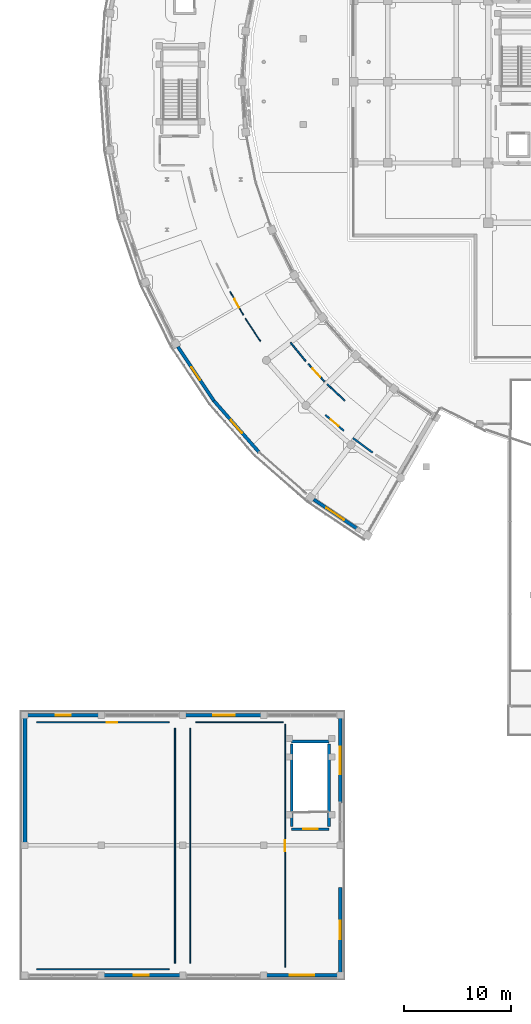
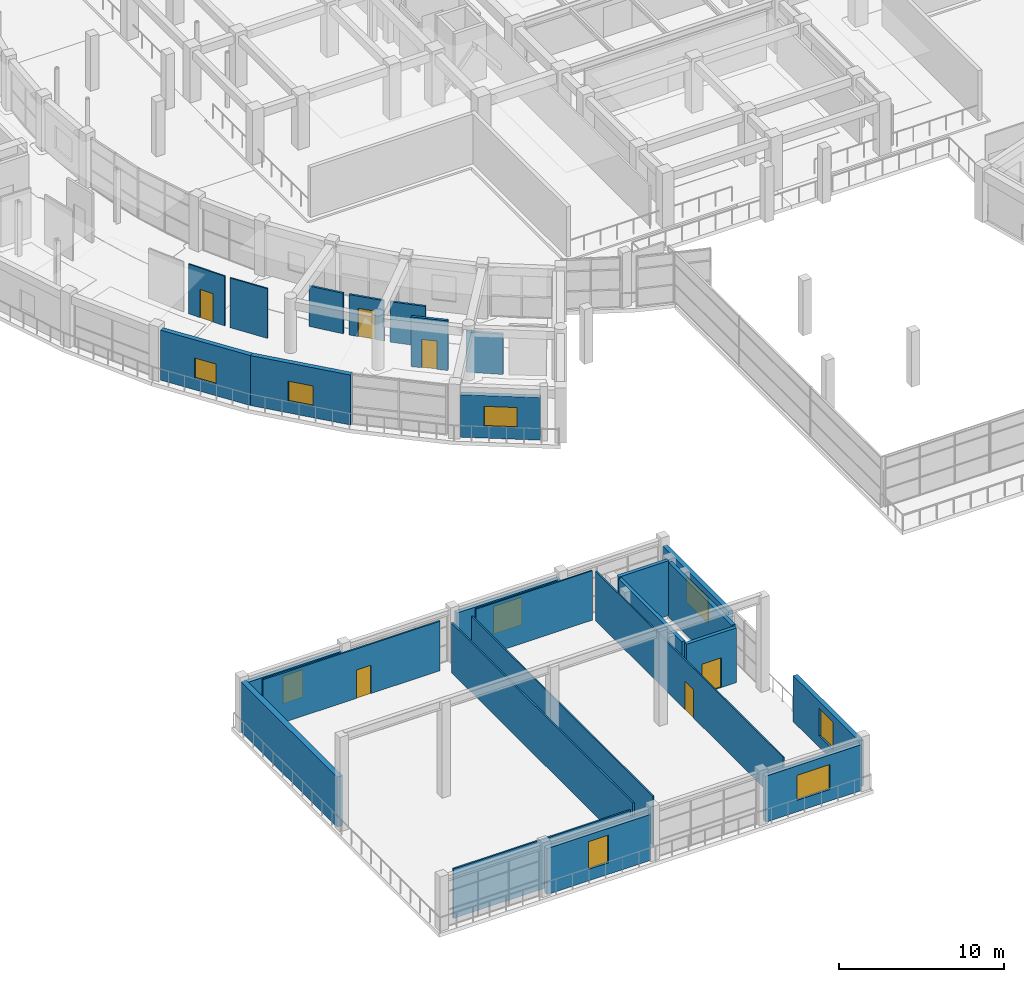
# One storey, part 55 of 87: 27 walls, 9 windows, 6 doors, 15 openings.
"""IFC4 building model written with IfcOpenShell, lengths in metres."""

from ifc_helpers import new_model, si_unit, direction, frame, frame_2d, origin, place, context, subcontext, project, spatial, rectangle, extrude, material, layer, layer_set, type_object, element, fill, save


model = new_model("IFC4")

# Units and contexts
model_context = context("Model", 3, precision=1e-05, world=origin(), true_north=direction((0.0, 1.0)))
body_context = subcontext(model_context, "Body", "Model", "MODEL_VIEW")
ifc_project = project(units=[si_unit("LENGTHUNIT", "METRE"), si_unit("AREAUNIT", "SQUARE_METRE"), si_unit("VOLUMEUNIT", "CUBIC_METRE"), si_unit("PLANEANGLEUNIT", "RADIAN"), si_unit("MASSUNIT", "GRAM", prefix="KILO")], contexts=[model_context])

# Site, building, storey
site_placement = place(None, origin())
site = spatial("IfcSite", under=ifc_project, at=site_placement, CompositionType="ELEMENT")
building_placement = place(site_placement, origin())
building = spatial("IfcBuilding", under=site, at=building_placement, Name="Saryqyr Civic Hall", CompositionType="ELEMENT")
storey_placement = place(building_placement, frame((0.0, 0.0, 5.10009765625)))
storey = spatial("IfcBuildingStorey", under=building, at=storey_placement, Name="L01", CompositionType="ELEMENT", Elevation=5.10009765625)

# Wall, opening, window
ifc_material_1 = material(Name="Precast concrete C40/50", Category="concrete")
ifc_layer_1 = layer(ifc_material_1, 0.31005859375, Name="Precast concrete C40/50")
ifc_layer_set_1 = layer_set([ifc_layer_1], Name="Precast concrete C40/50")
wall_type_1 = type_object("IfcWallType", Name="ENV-WAL-EXT-310", PredefinedType="STANDARD", material=ifc_layer_set_1)
wall_1_placement = place(storey_placement, frame((18.125732421875, 54.170654296875, 0.0), z_axis=(0.0, 0.0, 1.0), x_axis=(-0.555572819865, 0.831467883822, 0.0)))
wall_1 = element("IfcWall", 1, at=wall_1_placement, inside=storey, type_object=wall_type_1, Name="Exterior wall V4-EWO-L01-06", PredefinedType="STANDARD", context=body_context, shape_type="SweptSolid", body=[
    extrude(rectangle(XDim=6.06689453125, YDim=0.31005859375, at=frame_2d((3.033447265625, 0.0))), origin(), (0.0, 0.0, 1.0), 3.699951171875),
])
opening_1_placement = place(wall_1_placement, frame((2.30810546875, 0.0, 0.85009765625)))
opening_1 = element("IfcOpeningElement", 2, at=opening_1_placement, cuts=wall_1, Name="Opening W-11", PredefinedType="OPENING", context=body_context, shape_type="SweptSolid", body=[
    extrude(rectangle(XDim=1.449951171875, YDim=1.5, at=frame_2d((0.72509765625, 0.75))), frame((0.0, 0.1650390625, 0.0), z_axis=(0.0, -1.0, 0.0), x_axis=(1.0, 0.0, 0.0)), (0.0, 0.0, 1.0), 0.330078125),
])
ifc_material_2 = material(Name="Anodised aluminium and triple low-E glass", Category="aluminium")
window_type_1 = type_object("IfcWindowType", Name="ENV-WIN-W11", PartitioningType="SINGLE_PANEL", PredefinedType="WINDOW", material=ifc_material_2)
window_1_placement = place(opening_1_placement, origin())
window_1 = element("IfcWindow", 3, at=window_1_placement, inside=storey, type_object=window_type_1, Name="Exterior ribbon window V4-L01-06", OverallHeight=1.5, OverallWidth=1.449951171875, PartitioningType="SINGLE_PANEL", PredefinedType="WINDOW", context=body_context, shape_type="SweptSolid", body=[
    extrude(rectangle(XDim=1.449951171875, YDim=1.5, at=frame_2d((0.72509765625, 0.75))), frame((0.0, 0.030029296875, 0.0), z_axis=(0.0, -1.0, 0.0), x_axis=(1.0, 0.0, 0.0)), (0.0, 0.0, 1.0), 0.06005859375),
])
fill(opening_1, window_1)

wall_2_placement = place(storey_placement, frame((22.351806640625, 49.351806640625, 0.0), z_axis=(0.0, 0.0, 1.0), x_axis=(-0.659350951881, 0.751835302612, 0.0)))
wall_2 = element("IfcWall", 4, at=wall_2_placement, inside=storey, type_object=wall_type_1, Name="Exterior wall V4-EWO-L01-07", PredefinedType="STANDARD", context=body_context, shape_type="SweptSolid", body=[
    extrude(rectangle(XDim=6.409423828125, YDim=0.31005859375, at=frame_2d((3.20458984375, 0.0))), origin(), (0.0, 0.0, 1.0), 3.699951171875),
])
opening_2_placement = place(wall_2_placement, frame((2.405029296875, 0.0, 0.85009765625)))
opening_2 = element("IfcOpeningElement", 5, at=opening_2_placement, cuts=wall_2, Name="Opening W-12", PredefinedType="OPENING", context=body_context, shape_type="SweptSolid", body=[
    extrude(rectangle(XDim=1.60009765625, YDim=1.5, at=frame_2d((0.800048828125, 0.75))), frame((0.0, 0.1650390625, 0.0), z_axis=(0.0, -1.0, 0.0), x_axis=(1.0, 0.0, 0.0)), (0.0, 0.0, 1.0), 0.330078125),
])
window_type_2 = type_object("IfcWindowType", Name="ENV-WIN-W12", PartitioningType="SINGLE_PANEL", PredefinedType="WINDOW", material=ifc_material_2)
window_2_placement = place(opening_2_placement, origin())
window_2 = element("IfcWindow", 6, at=window_2_placement, inside=storey, type_object=window_type_2, Name="Exterior ribbon window V4-L01-07", OverallHeight=1.5, OverallWidth=1.60009765625, PartitioningType="SINGLE_PANEL", PredefinedType="WINDOW", context=body_context, shape_type="SweptSolid", body=[
    extrude(rectangle(XDim=1.60009765625, YDim=1.5, at=frame_2d((0.800048828125, 0.75))), frame((0.0, 0.030029296875, 0.0), z_axis=(0.0, -1.0, 0.0), x_axis=(1.0, 0.0, 0.0)), (0.0, 0.0, 1.0), 0.06005859375),
])
fill(opening_2, window_2)

wall_3_placement = place(storey_placement, frame((31.49365234375, 42.2373046875, 0.0), z_axis=(0.0, 0.0, 1.0), x_axis=(-0.83146976308, 0.555570007365, 0.0)))
wall_3 = element("IfcWall", 7, at=wall_3_placement, inside=storey, type_object=wall_type_1, Name="Exterior wall V4-EWO-L01-09", PredefinedType="STANDARD", context=body_context, shape_type="SweptSolid", body=[
    extrude(rectangle(XDim=4.856201171875, YDim=0.31005859375, at=frame_2d((2.42822265625, 0.0))), origin(), (0.0, 0.0, 1.0), 3.14501953125),
])
opening_3_placement = place(wall_3_placement, frame((1.427978515625, 0.0, 0.85009765625)))
opening_3 = element("IfcOpeningElement", 8, at=opening_3_placement, cuts=wall_3, Name="Opening W-14", PredefinedType="OPENING", context=body_context, shape_type="SweptSolid", body=[
    extrude(rectangle(XDim=2.0, YDim=1.5, at=frame_2d((1.0, 0.75))), frame((0.0, 0.1650390625, 0.0), z_axis=(0.0, -1.0, 0.0), x_axis=(1.0, 0.0, 0.0)), (0.0, 0.0, 1.0), 0.330078125),
])
window_type_3 = type_object("IfcWindowType", Name="ENV-WIN-W14", PartitioningType="SINGLE_PANEL", PredefinedType="WINDOW", material=ifc_material_2)
window_3_placement = place(opening_3_placement, origin())
window_3 = element("IfcWindow", 9, at=window_3_placement, inside=storey, type_object=window_type_3, Name="Exterior ribbon window V4-L01-09", OverallHeight=1.5, OverallWidth=2.0, PartitioningType="SINGLE_PANEL", PredefinedType="WINDOW", context=body_context, shape_type="SweptSolid", body=[
    extrude(rectangle(XDim=2.0, YDim=1.5, at=frame_2d((1.0, 0.75))), frame((0.0, 0.030029296875, 0.0), z_axis=(0.0, -1.0, 0.0), x_axis=(1.0, 0.0, 0.0)), (0.0, 0.0, 1.0), 0.06005859375),
])
fill(opening_3, window_3)

wall_4_placement = place(storey_placement, frame((29.715087890625, 0.449951171875, 0.0), z_axis=(0.0, 0.0, 1.0), x_axis=(-1.0, 0.0, 0.0)))
wall_4 = element("IfcWall", 10, at=wall_4_placement, inside=storey, type_object=wall_type_1, Name="Exterior wall V7W-EW-L01-0-0", PredefinedType="STANDARD", context=body_context, shape_type="SweptSolid", body=[
    extrude(rectangle(XDim=6.68017578125, YDim=0.31005859375, at=frame_2d((3.340087890625, 0.0))), origin(), (0.0, 0.0, 1.0), 3.40478515625),
])
opening_4_placement = place(wall_4_placement, frame((2.18994140625, 0.0, 0.85009765625)))
opening_4 = element("IfcOpeningElement", 11, at=opening_4_placement, cuts=wall_4, Name="Opening W-29", PredefinedType="OPENING", context=body_context, shape_type="SweptSolid", body=[
    extrude(rectangle(XDim=2.300048828125, YDim=1.85009765625, at=frame_2d((1.14990234375, 0.925048828125))), frame((0.0, 0.1650390625, 0.0), z_axis=(0.0, -1.0, 0.0), x_axis=(1.0, 0.0, 0.0)), (0.0, 0.0, 1.0), 0.330078125),
])
window_type_4 = type_object("IfcWindowType", Name="ENV-WIN-W29", PartitioningType="SINGLE_PANEL", PredefinedType="WINDOW", material=ifc_material_2)
window_4_placement = place(opening_4_placement, origin())
window_4 = element("IfcWindow", 12, at=window_4_placement, inside=storey, type_object=window_type_4, Name="Gatehouse window W-L01-0-0", OverallHeight=1.85009765625, OverallWidth=2.300048828125, PartitioningType="SINGLE_PANEL", PredefinedType="WINDOW", context=body_context, shape_type="SweptSolid", body=[
    extrude(rectangle(XDim=2.300048828125, YDim=1.85009765625, at=frame_2d((1.14990234375, 0.925048828125))), frame((0.0, 0.030029296875, 0.0), z_axis=(0.0, -1.0, 0.0), x_axis=(1.0, 0.0, 0.0)), (0.0, 0.0, 1.0), 0.06005859375),
])
fill(opening_4, window_4)

wall_5_placement = place(storey_placement, frame((14.965087890625, 0.449951171875, 0.0), z_axis=(0.0, 0.0, 1.0), x_axis=(-1.0, 0.0, 0.0)))
wall_5 = element("IfcWall", 13, at=wall_5_placement, inside=storey, type_object=wall_type_1, Name="Exterior wall V7W-EW-L01-0-2", PredefinedType="STANDARD", context=body_context, shape_type="SweptSolid", body=[
    extrude(rectangle(XDim=7.25, YDim=0.31005859375, at=frame_2d((3.625, 0.0))), origin(), (0.0, 0.0, 1.0), 3.40478515625),
])
opening_5_placement = place(wall_5_placement, frame((2.925048828125, 0.0, 0.85009765625)))
opening_5 = element("IfcOpeningElement", 14, at=opening_5_placement, cuts=wall_5, Name="Opening W-31", PredefinedType="OPENING", context=body_context, shape_type="SweptSolid", body=[
    extrude(rectangle(XDim=1.39990234375, YDim=2.050048828125, at=frame_2d((0.699951171875, 1.02490234375))), frame((0.0, 0.1650390625, 0.0), z_axis=(0.0, -1.0, 0.0), x_axis=(1.0, 0.0, 0.0)), (0.0, 0.0, 1.0), 0.330078125),
])
window_type_5 = type_object("IfcWindowType", Name="ENV-WIN-W31", PartitioningType="SINGLE_PANEL", PredefinedType="WINDOW", material=ifc_material_2)
window_5_placement = place(opening_5_placement, origin())
window_5 = element("IfcWindow", 15, at=window_5_placement, inside=storey, type_object=window_type_5, Name="Gatehouse window W-L01-0-2", OverallHeight=2.050048828125, OverallWidth=1.39990234375, PartitioningType="SINGLE_PANEL", PredefinedType="WINDOW", context=body_context, shape_type="SweptSolid", body=[
    extrude(rectangle(XDim=1.39990234375, YDim=2.050048828125, at=frame_2d((0.699951171875, 1.02490234375))), frame((0.0, 0.030029296875, 0.0), z_axis=(0.0, -1.0, 0.0), x_axis=(1.0, 0.0, 0.0)), (0.0, 0.0, 1.0), 0.06005859375),
])
fill(opening_5, window_5)

wall_6_placement = place(storey_placement, frame((29.949951171875, 24.514892578125, 0.0), z_axis=(0.0, 0.0, 1.0), x_axis=(0.0, -1.0, 0.0)))
wall_6 = element("IfcWall", 16, at=wall_6_placement, inside=storey, type_object=wall_type_1, Name="Exterior wall V7W-EW-L01-1-0", PredefinedType="STANDARD", context=body_context, shape_type="SweptSolid", body=[
    extrude(rectangle(XDim=7.98486328125, YDim=0.31005859375, at=frame_2d((3.992431640625, 0.0))), origin(), (0.0, 0.0, 1.0), 3.40478515625),
])
opening_6_placement = place(wall_6_placement, frame((2.69189453125, 0.0, 0.85009765625)))
opening_6 = element("IfcOpeningElement", 17, at=opening_6_placement, cuts=wall_6, Name="Opening W-30", PredefinedType="OPENING", context=body_context, shape_type="SweptSolid", body=[
    extrude(rectangle(XDim=2.60009765625, YDim=1.85009765625, at=frame_2d((1.300048828125, 0.925048828125))), frame((0.0, 0.1650390625, 0.0), z_axis=(0.0, -1.0, 0.0), x_axis=(1.0, 0.0, 0.0)), (0.0, 0.0, 1.0), 0.330078125),
])
window_type_6 = type_object("IfcWindowType", Name="ENV-WIN-W30", PartitioningType="SINGLE_PANEL", PredefinedType="WINDOW", material=ifc_material_2)
window_6_placement = place(opening_6_placement, origin())
window_6 = element("IfcWindow", 18, at=window_6_placement, inside=storey, type_object=window_type_6, Name="Gatehouse window W-L01-1-0", OverallHeight=1.85009765625, OverallWidth=2.60009765625, PartitioningType="SINGLE_PANEL", PredefinedType="WINDOW", context=body_context, shape_type="SweptSolid", body=[
    extrude(rectangle(XDim=2.60009765625, YDim=1.85009765625, at=frame_2d((1.300048828125, 0.925048828125))), frame((0.0, 0.030029296875, 0.0), z_axis=(0.0, -1.0, 0.0), x_axis=(1.0, 0.0, 0.0)), (0.0, 0.0, 1.0), 0.06005859375),
])
fill(opening_6, window_6)

wall_7_placement = place(storey_placement, frame((29.949951171875, 8.669921875, 0.0), z_axis=(0.0, 0.0, 1.0), x_axis=(0.0, -1.0, 0.0)))
wall_7 = element("IfcWall", 19, at=wall_7_placement, inside=storey, type_object=wall_type_1, Name="Exterior wall V7W-EW-L01-1-2", PredefinedType="STANDARD", context=body_context, shape_type="SweptSolid", body=[
    extrude(rectangle(XDim=7.98486328125, YDim=0.31005859375, at=frame_2d((3.992431640625, 0.0))), origin(), (0.0, 0.0, 1.0), 3.40478515625),
])
opening_7_placement = place(wall_7_placement, frame((3.14208984375, 0.0, 0.85009765625)))
opening_7 = element("IfcOpeningElement", 20, at=opening_7_placement, cuts=wall_7, Name="Opening W-32", PredefinedType="OPENING", context=body_context, shape_type="SweptSolid", body=[
    extrude(rectangle(XDim=1.699951171875, YDim=2.050048828125, at=frame_2d((0.85009765625, 1.02490234375))), frame((0.0, 0.1650390625, 0.0), z_axis=(0.0, -1.0, 0.0), x_axis=(1.0, 0.0, 0.0)), (0.0, 0.0, 1.0), 0.330078125),
])
window_type_7 = type_object("IfcWindowType", Name="ENV-WIN-W32", PartitioningType="SINGLE_PANEL", PredefinedType="WINDOW", material=ifc_material_2)
window_7_placement = place(opening_7_placement, origin())
window_7 = element("IfcWindow", 21, at=window_7_placement, inside=storey, type_object=window_type_7, Name="Gatehouse window W-L01-1-2", OverallHeight=2.050048828125, OverallWidth=1.699951171875, PartitioningType="SINGLE_PANEL", PredefinedType="WINDOW", context=body_context, shape_type="SweptSolid", body=[
    extrude(rectangle(XDim=1.699951171875, YDim=2.050048828125, at=frame_2d((0.85009765625, 1.02490234375))), frame((0.0, 0.030029296875, 0.0), z_axis=(0.0, -1.0, 0.0), x_axis=(1.0, 0.0, 0.0)), (0.0, 0.0, 1.0), 0.06005859375),
])
fill(opening_7, window_7)

wall_8_placement = place(storey_placement, frame((0.68505859375, 24.75, 0.0), z_axis=(0.0, 0.0, 1.0), x_axis=(1.0, 0.0, 0.0)))
wall_8 = element("IfcWall", 22, at=wall_8_placement, inside=storey, type_object=wall_type_1, Name="Exterior wall V7W-EW-L01-2-0", PredefinedType="STANDARD", context=body_context, shape_type="SweptSolid", body=[
    extrude(rectangle(XDim=6.679931640625, YDim=0.31005859375, at=frame_2d((3.33984375, 0.0))), origin(), (0.0, 0.0, 1.0), 3.40478515625),
])
opening_8_placement = place(wall_8_placement, frame((2.639892578125, 0.0, 0.85009765625)))
opening_8 = element("IfcOpeningElement", 23, at=opening_8_placement, cuts=wall_8, Name="Opening W-31", PredefinedType="OPENING", context=body_context, shape_type="SweptSolid", body=[
    extrude(rectangle(XDim=1.39990234375, YDim=2.050048828125, at=frame_2d((0.699951171875, 1.02490234375))), frame((0.0, 0.1650390625, 0.0), z_axis=(0.0, -1.0, 0.0), x_axis=(1.0, 0.0, 0.0)), (0.0, 0.0, 1.0), 0.330078125),
])
window_8_placement = place(opening_8_placement, origin())
window_8 = element("IfcWindow", 24, at=window_8_placement, inside=storey, type_object=window_type_5, Name="Gatehouse window W-L01-2-0", OverallHeight=2.050048828125, OverallWidth=1.39990234375, PartitioningType="SINGLE_PANEL", PredefinedType="WINDOW", context=body_context, shape_type="SweptSolid", body=[
    extrude(rectangle(XDim=1.39990234375, YDim=2.050048828125, at=frame_2d((0.699951171875, 1.02490234375))), frame((0.0, 0.030029296875, 0.0), z_axis=(0.0, -1.0, 0.0), x_axis=(1.0, 0.0, 0.0)), (0.0, 0.0, 1.0), 0.06005859375),
])
fill(opening_8, window_8)

wall_9_placement = place(storey_placement, frame((15.43505859375, 24.75, 0.0), z_axis=(0.0, 0.0, 1.0), x_axis=(1.0, 0.0, 0.0)))
wall_9 = element("IfcWall", 25, at=wall_9_placement, inside=storey, type_object=wall_type_1, Name="Exterior wall V7W-EW-L01-2-2", PredefinedType="STANDARD", context=body_context, shape_type="SweptSolid", body=[
    extrude(rectangle(XDim=7.25, YDim=0.31005859375, at=frame_2d((3.625, 0.0))), origin(), (0.0, 0.0, 1.0), 3.40478515625),
])
opening_9_placement = place(wall_9_placement, frame((2.625, 0.0, 0.85009765625)))
opening_9 = element("IfcOpeningElement", 26, at=opening_9_placement, cuts=wall_9, Name="Opening W-33", PredefinedType="OPENING", context=body_context, shape_type="SweptSolid", body=[
    extrude(rectangle(XDim=2.0, YDim=2.050048828125, at=frame_2d((1.0, 1.02490234375))), frame((0.0, 0.1650390625, 0.0), z_axis=(0.0, -1.0, 0.0), x_axis=(1.0, 0.0, 0.0)), (0.0, 0.0, 1.0), 0.330078125),
])
window_type_8 = type_object("IfcWindowType", Name="ENV-WIN-W33", PartitioningType="SINGLE_PANEL", PredefinedType="WINDOW", material=ifc_material_2)
window_9_placement = place(opening_9_placement, origin())
window_9 = element("IfcWindow", 27, at=window_9_placement, inside=storey, type_object=window_type_8, Name="Gatehouse window W-L01-2-2", OverallHeight=2.050048828125, OverallWidth=2.0, PartitioningType="SINGLE_PANEL", PredefinedType="WINDOW", context=body_context, shape_type="SweptSolid", body=[
    extrude(rectangle(XDim=2.0, YDim=2.050048828125, at=frame_2d((1.0, 1.02490234375))), frame((0.0, 0.030029296875, 0.0), z_axis=(0.0, -1.0, 0.0), x_axis=(1.0, 0.0, 0.0)), (0.0, 0.0, 1.0), 0.06005859375),
])
fill(opening_9, window_9)

# Wall
ifc_material_3 = material(Name="Concrete C40/50", Category="concrete")
ifc_layer_2 = layer(ifc_material_3, 0.3798828125, Name="Concrete C40/50")
ifc_layer_set_2 = layer_set([ifc_layer_2], Name="Concrete C40/50")
wall_type_2 = type_object("IfcWallType", Name="ENV-WAL-PTY-380", PredefinedType="SHEAR", material=ifc_layer_set_2)
wall_10_placement = place(storey_placement, frame((0.449951171875, 12.8349609375, 0.0), z_axis=(0.0, 0.0, 1.0), x_axis=(0.0, 1.0, 0.0)))
element("IfcWall", 28, at=wall_10_placement, inside=storey, type_object=wall_type_2, Name="Exterior wall V7W-PTY-L01", PredefinedType="SHEAR", context=body_context, shape_type="SweptSolid", body=[
    extrude(rectangle(XDim=11.679931640625, YDim=0.3798828125, at=frame_2d((5.83984375, 0.0))), origin(), (0.0, 0.0, 1.0), 3.699951171875),
])

# Wall, opening, door
ifc_material_4 = material(Name="Lightweight demountable partition", Category="gypsum")
ifc_layer_3 = layer(ifc_material_4, 0.094970703125, Name="Lightweight demountable partition")
ifc_layer_set_3 = layer_set([ifc_layer_3], Name="Lightweight demountable partition")
wall_type_3 = type_object("IfcWallType", Name="INT-WAL-PRT-095", PredefinedType="PARTITIONING", material=ifc_layer_set_3)
wall_11_placement = place(storey_placement, frame((19.638427734375, 64.392333984375, 0.0), z_axis=(0.0, 0.0, 1.0), x_axis=(0.491313749773, -0.870982663022, 0.0)))
wall_11 = element("IfcWall", 29, at=wall_11_placement, inside=storey, type_object=wall_type_3, Name="Interior partition PRT-SP-V4-L01-R02-W1", PredefinedType="PARTITIONING", context=body_context, shape_type="SweptSolid", body=[
    extrude(rectangle(XDim=2.55419921875, YDim=0.094970703125, at=frame_2d((1.277099609375, 0.0))), origin(), (0.0, 0.0, 1.0), 3.679931640625),
])
opening_10_placement = place(wall_11_placement, frame((0.826904296875, 0.0, 0.0)))
opening_10 = element("IfcOpeningElement", 30, at=opening_10_placement, cuts=wall_11, Name="Opening D-01", PredefinedType="OPENING", context=body_context, shape_type="SweptSolid", body=[
    extrude(rectangle(XDim=0.89990234375, YDim=2.10009765625, at=frame_2d((0.449951171875, 1.050048828125))), frame((0.0, 0.057373046875, 0.0), z_axis=(0.0, -1.0, 0.0), x_axis=(1.0, 0.0, 0.0)), (0.0, 0.0, 1.0), 0.114990234375),
])
ifc_material_5 = material(Name="Acoustic solid-core oak veneer", Category="wood")
door_type_1 = type_object("IfcDoorType", Name="INT-DR-D-01", OperationType="NOTDEFINED", PredefinedType="DOOR", material=ifc_material_5)
door_1_placement = place(opening_10_placement, origin())
door_1 = element("IfcDoor", 31, at=door_1_placement, inside=storey, type_object=door_type_1, Name="Interior door Bridal & Family Reception Salon", OperationType="SINGLE_SWING_RIGHT", OverallHeight=2.10009765625, OverallWidth=0.89990234375, PredefinedType="DOOR", context=body_context, shape_type="SweptSolid", body=[
    extrude(rectangle(XDim=0.89990234375, YDim=2.10009765625, at=frame_2d((0.449951171875, 1.050048828125))), frame((0.0, 0.02490234375, 0.0), z_axis=(0.0, -1.0, 0.0), x_axis=(1.0, 0.0, 0.0)), (0.0, 0.0, 1.0), 0.050048828125),
])
fill(opening_10, door_1)

# Wall
wall_12_placement = place(storey_placement, frame((21.080810546875, 61.860595703125, 0.0), z_axis=(0.0, 0.0, 1.0), x_axis=(0.550192196016, -0.835038051494, 0.0)))
element("IfcWall", 32, at=wall_12_placement, inside=storey, type_object=wall_type_3, Name="Interior partition PRT-SP-V4-L01-R02-W2", PredefinedType="PARTITIONING", context=body_context, shape_type="SweptSolid", body=[
    extrude(rectangle(XDim=2.55419921875, YDim=0.094970703125, at=frame_2d((1.277099609375, 0.0))), origin(), (0.0, 0.0, 1.0), 3.679931640625),
])

# Wall, opening, door
wall_13_placement = place(storey_placement, frame((24.800048828125, 23.919921875, 0.0), z_axis=(0.0, 0.0, 1.0), x_axis=(0.0, -1.0, 0.0)))
wall_13 = element("IfcWall", 33, at=wall_13_placement, inside=storey, type_object=wall_type_3, Name="Interior partition PRT-SP-V7W-L01-R08-W1", PredefinedType="PARTITIONING", context=body_context, shape_type="SweptSolid", body=[
    extrude(rectangle(XDim=22.739990234375, YDim=0.094970703125, at=frame_2d((11.3701171875, 0.0))), origin(), (0.0, 0.0, 1.0), 3.669921875),
])
opening_11_placement = place(wall_13_placement, frame((10.844970703125, 0.0, 0.0)))
opening_11 = element("IfcOpeningElement", 34, at=opening_11_placement, cuts=wall_13, Name="Opening D-04", PredefinedType="OPENING", context=body_context, shape_type="SweptSolid", body=[
    extrude(rectangle(XDim=1.050048828125, YDim=2.10009765625, at=frame_2d((0.52490234375, 1.050048828125))), frame((0.0, 0.057373046875, 0.0), z_axis=(0.0, -1.0, 0.0), x_axis=(1.0, 0.0, 0.0)), (0.0, 0.0, 1.0), 0.114990234375),
])
door_type_2 = type_object("IfcDoorType", Name="INT-DR-D-04", OperationType="NOTDEFINED", PredefinedType="DOOR", material=ifc_material_5)
door_2_placement = place(opening_11_placement, origin())
door_2 = element("IfcDoor", 35, at=door_2_placement, inside=storey, type_object=door_type_2, Name="Interior door Gatehouse West Restrooms & Catering Pantry", OperationType="SINGLE_SWING_LEFT", OverallHeight=2.10009765625, OverallWidth=1.050048828125, PredefinedType="DOOR", context=body_context, shape_type="SweptSolid", body=[
    extrude(rectangle(XDim=1.050048828125, YDim=2.10009765625, at=frame_2d((0.52490234375, 1.050048828125))), frame((0.0, 0.02490234375, 0.0), z_axis=(0.0, -1.0, 0.0), x_axis=(1.0, 0.0, 0.0)), (0.0, 0.0, 1.0), 0.050048828125),
])
fill(opening_11, door_2)

# Walls
wall_14_placement = place(storey_placement, frame((15.89990234375, 1.550048828125, 0.0), z_axis=(0.0, 0.0, 1.0), x_axis=(0.0, 1.0, 0.0)))
element("IfcWall", 36, at=wall_14_placement, inside=storey, type_object=wall_type_3, Name="Interior partition PRT-SP-V7W-L01-R08-W2", PredefinedType="PARTITIONING", context=body_context, shape_type="SweptSolid", body=[
    extrude(rectangle(XDim=22.0, YDim=0.094970703125, at=frame_2d((11.0, 0.0))), origin(), (0.0, 0.0, 1.0), 3.669921875),
])
wall_15_placement = place(storey_placement, frame((16.449951171875, 24.10009765625, 0.0), z_axis=(0.0, 0.0, 1.0), x_axis=(1.0, 0.0, 0.0)))
element("IfcWall", 37, at=wall_15_placement, inside=storey, type_object=wall_type_3, Name="Interior partition PRT-SP-V7W-L01-R08-W3", PredefinedType="PARTITIONING", context=body_context, shape_type="SweptSolid", body=[
    extrude(rectangle(XDim=8.170166015625, YDim=0.094970703125, at=frame_2d((4.0849609375, 0.0))), origin(), (0.0, 0.0, 1.0), 3.669921875),
])
ifc_material_6 = material(Name="Moisture-resistant gypsum partition", Category="gypsum")
ifc_layer_4 = layer(ifc_material_6, 0.110107421875, Name="Moisture-resistant gypsum partition")
ifc_layer_set_4 = layer_set([ifc_layer_4], Name="Moisture-resistant gypsum partition")
wall_type_4 = type_object("IfcWallType", Name="INT-WAL-PRT-110", PredefinedType="PARTITIONING", material=ifc_layer_set_4)
wall_16_placement = place(storey_placement, frame((14.5, 23.550048828125, 0.0), z_axis=(0.0, 0.0, 1.0), x_axis=(0.0, -1.0, 0.0)))
element("IfcWall", 38, at=wall_16_placement, inside=storey, type_object=wall_type_4, Name="Interior partition PRT-SP-V7W-L01-R07-W1", PredefinedType="PARTITIONING", context=body_context, shape_type="SweptSolid", body=[
    extrude(rectangle(XDim=22.0, YDim=0.110107421875, at=frame_2d((11.0, 0.0))), origin(), (0.0, 0.0, 1.0), 3.669921875),
])

# Wall, opening, door
wall_17_placement = place(storey_placement, frame((1.550048828125, 24.10009765625, 0.0), z_axis=(0.0, 0.0, 1.0), x_axis=(1.0, 0.0, 0.0)))
wall_17 = element("IfcWall", 39, at=wall_17_placement, inside=storey, type_object=wall_type_4, Name="Interior partition PRT-SP-V7W-L01-R07-W2", PredefinedType="PARTITIONING", context=body_context, shape_type="SweptSolid", body=[
    extrude(rectangle(XDim=12.39990234375, YDim=0.110107421875, at=frame_2d((6.199951171875, 0.0))), origin(), (0.0, 0.0, 1.0), 3.669921875),
])
opening_12_placement = place(wall_17_placement, frame((6.550048828125, 0.0, 0.0)))
opening_12 = element("IfcOpeningElement", 40, at=opening_12_placement, cuts=wall_17, Name="Opening D-03", PredefinedType="OPENING", context=body_context, shape_type="SweptSolid", body=[
    extrude(rectangle(XDim=1.0, YDim=2.10009765625, at=frame_2d((0.5, 1.050048828125))), frame((0.0, 0.06494140625, 0.0), z_axis=(0.0, -1.0, 0.0), x_axis=(1.0, 0.0, 0.0)), (0.0, 0.0, 1.0), 0.130126953125),
])
door_type_3 = type_object("IfcDoorType", Name="INT-DR-D-03", OperationType="NOTDEFINED", PredefinedType="DOOR", material=ifc_material_5)
door_3_placement = place(opening_12_placement, origin())
door_3 = element("IfcDoor", 41, at=door_3_placement, inside=storey, type_object=door_type_3, Name="Interior door Community Exhibition & Youth Parliament Studio", OperationType="SINGLE_SWING_RIGHT", OverallHeight=2.10009765625, OverallWidth=1.0, PredefinedType="DOOR", context=body_context, shape_type="SweptSolid", body=[
    extrude(rectangle(XDim=1.0, YDim=2.10009765625, at=frame_2d((0.5, 1.050048828125))), frame((0.0, 0.02490234375, 0.0), z_axis=(0.0, -1.0, 0.0), x_axis=(1.0, 0.0, 0.0)), (0.0, 0.0, 1.0), 0.050048828125),
])
fill(opening_12, door_3)

# Wall
wall_18_placement = place(storey_placement, frame((13.949951171875, 1.0, 0.0), z_axis=(0.0, 0.0, 1.0), x_axis=(-1.0, 0.0, 0.0)))
element("IfcWall", 42, at=wall_18_placement, inside=storey, type_object=wall_type_4, Name="Interior partition PRT-SP-V7W-L01-R07-W3", PredefinedType="PARTITIONING", context=body_context, shape_type="SweptSolid", body=[
    extrude(rectangle(XDim=12.39990234375, YDim=0.110107421875, at=frame_2d((6.199951171875, 0.0))), origin(), (0.0, 0.0, 1.0), 3.669921875),
])

# Wall, opening, door
ifc_material_7 = material(Name="Metal-stud gypsum board partition", Category="gypsum")
ifc_layer_5 = layer(ifc_material_7, 0.139892578125, Name="Metal-stud gypsum board partition")
ifc_layer_set_5 = layer_set([ifc_layer_5], Name="Metal-stud gypsum board partition")
wall_type_5 = type_object("IfcWallType", Name="INT-WAL-PRT-140", PredefinedType="PARTITIONING", material=ifc_layer_set_5)
wall_19_placement = place(storey_placement, frame((28.47509765625, 55.96630859375, 0.0), z_axis=(0.0, 0.0, 1.0), x_axis=(-0.680795385987, 0.732473646229, 0.0)))
wall_19 = element("IfcWall", 43, at=wall_19_placement, inside=storey, type_object=wall_type_5, Name="Interior partition PRT-SP-V4-L01-R05-W1", PredefinedType="PARTITIONING", context=body_context, shape_type="SweptSolid", body=[
    extrude(rectangle(XDim=2.229736328125, YDim=0.139892578125, at=frame_2d((1.11474609375, 0.0))), origin(), (0.0, 0.0, 1.0), 2.994873046875),
])
opening_13_placement = place(wall_19_placement, frame((0.590087890625, 0.0, 0.0)))
opening_13 = element("IfcOpeningElement", 44, at=opening_13_placement, cuts=wall_19, Name="Opening D-04", PredefinedType="OPENING", context=body_context, shape_type="SweptSolid", body=[
    extrude(rectangle(XDim=1.050048828125, YDim=2.10009765625, at=frame_2d((0.52490234375, 1.050048828125))), frame((0.0, 0.079833984375, 0.0), z_axis=(0.0, -1.0, 0.0), x_axis=(1.0, 0.0, 0.0)), (0.0, 0.0, 1.0), 0.159912109375),
])
door_4_placement = place(opening_13_placement, origin())
door_4 = element("IfcDoor", 45, at=door_4_placement, inside=storey, type_object=door_type_2, Name="Interior door Ceremonial Waiting Gallery", OperationType="SINGLE_SWING_LEFT", OverallHeight=2.10009765625, OverallWidth=1.050048828125, PredefinedType="DOOR", context=body_context, shape_type="SweptSolid", body=[
    extrude(rectangle(XDim=1.050048828125, YDim=2.10009765625, at=frame_2d((0.52490234375, 1.050048828125))), frame((0.0, 0.02490234375, 0.0), z_axis=(0.0, -1.0, 0.0), x_axis=(1.0, 0.0, 0.0)), (0.0, 0.0, 1.0), 0.050048828125),
])
fill(opening_13, door_4)

# Walls
wall_20_placement = place(storey_placement, frame((26.720703125, 57.870849609375, 0.0), z_axis=(0.0, 0.0, 1.0), x_axis=(-0.631919089096, 0.775034363649, 0.0)))
element("IfcWall", 46, at=wall_20_placement, inside=storey, type_object=wall_type_5, Name="Interior partition PRT-SP-V4-L01-R05-W2", PredefinedType="PARTITIONING", context=body_context, shape_type="SweptSolid", body=[
    extrude(rectangle(XDim=2.2294921875, YDim=0.139892578125, at=frame_2d((1.11474609375, 0.0))), origin(), (0.0, 0.0, 1.0), 2.994873046875),
])
wall_21_placement = place(storey_placement, frame((30.3486328125, 54.17919921875, 0.0), z_axis=(0.0, 0.0, 1.0), x_axis=(-0.726700318569, 0.686954617855, 0.0)))
element("IfcWall", 47, at=wall_21_placement, inside=storey, type_object=wall_type_5, Name="Interior partition PRT-SP-V4-L01-R05-W3", PredefinedType="PARTITIONING", context=body_context, shape_type="SweptSolid", body=[
    extrude(rectangle(XDim=2.229736328125, YDim=0.139892578125, at=frame_2d((1.11474609375, 0.0))), origin(), (0.0, 0.0, 1.0), 2.994873046875),
])

# Wall, opening, door
ifc_material_8 = material(Name="Acoustic double-stud gypsum board", Category="gypsum")
ifc_layer_6 = layer(ifc_material_8, 0.169921875, Name="Acoustic double-stud gypsum board")
ifc_layer_set_6 = layer_set([ifc_layer_6], Name="Acoustic double-stud gypsum board")
wall_type_6 = type_object("IfcWallType", Name="INT-WAL-PRT-170", PredefinedType="PARTITIONING", material=ifc_layer_set_6)
wall_22_placement = place(storey_placement, frame((28.54931640625, 52.841064453125, 0.0), z_axis=(0.0, 0.0, 1.0), x_axis=(0.759218726938, -0.650835558852, 0.0)))
wall_22 = element("IfcWall", 48, at=wall_22_placement, inside=storey, type_object=wall_type_6, Name="Interior partition PRT-SP-V4-L01-R03-W1", PredefinedType="PARTITIONING", context=body_context, shape_type="SweptSolid", body=[
    extrude(rectangle(XDim=2.275146484375, YDim=0.169921875, at=frame_2d((1.1376953125, 0.0))), origin(), (0.0, 0.0, 1.0), 3.679931640625),
])
opening_14_placement = place(wall_22_placement, frame((0.6630859375, 0.0, 0.0)))
opening_14 = element("IfcOpeningElement", 49, at=opening_14_placement, cuts=wall_22, Name="Opening D-02", PredefinedType="OPENING", context=body_context, shape_type="SweptSolid", body=[
    extrude(rectangle(XDim=0.949951171875, YDim=2.10009765625, at=frame_2d((0.47509765625, 1.050048828125))), frame((0.0, 0.094970703125, 0.0), z_axis=(0.0, -1.0, 0.0), x_axis=(1.0, 0.0, 0.0)), (0.0, 0.0, 1.0), 0.18994140625),
])
door_type_4 = type_object("IfcDoorType", Name="INT-DR-D-02", OperationType="NOTDEFINED", PredefinedType="DOOR", material=ifc_material_5)
door_5_placement = place(opening_14_placement, origin())
door_5 = element("IfcDoor", 50, at=door_5_placement, inside=storey, type_object=door_type_4, Name="Interior door Public & Accessible MGN WC L01-W", OperationType="SINGLE_SWING_LEFT", OverallHeight=2.10009765625, OverallWidth=0.949951171875, PredefinedType="DOOR", context=body_context, shape_type="SweptSolid", body=[
    extrude(rectangle(XDim=0.949951171875, YDim=2.10009765625, at=frame_2d((0.47509765625, 1.050048828125))), frame((0.0, 0.02490234375, 0.0), z_axis=(0.0, -1.0, 0.0), x_axis=(1.0, 0.0, 0.0)), (0.0, 0.0, 1.0), 0.050048828125),
])
fill(opening_14, door_5)

# Wall
wall_23_placement = place(storey_placement, frame((31.13623046875, 50.675048828125, 0.0), z_axis=(0.0, 0.0, 1.0), x_axis=(0.803629423088, -0.595130028101, 0.0)))
element("IfcWall", 51, at=wall_23_placement, inside=storey, type_object=wall_type_6, Name="Interior partition PRT-SP-V4-L01-R03-W2", PredefinedType="PARTITIONING", context=body_context, shape_type="SweptSolid", body=[
    extrude(rectangle(XDim=2.275146484375, YDim=0.169921875, at=frame_2d((1.1376953125, 0.0))), origin(), (0.0, 0.0, 1.0), 2.994873046875),
])

# Wall, opening, door
ifc_layer_7 = layer(ifc_material_3, 0.25, Name="Concrete C40/50")
ifc_layer_set_7 = layer_set([ifc_layer_7], Name="Concrete C40/50")
wall_type_7 = type_object("IfcWallType", Name="INT-WAL-SHR-250", PredefinedType="SHEAR", material=ifc_layer_set_7)
wall_24_placement = place(storey_placement, frame((28.89990234375, 14.10009765625, 0.0), z_axis=(0.0, 0.0, 1.0), x_axis=(-1.0, 0.0, 0.0)))
wall_24 = element("IfcWall", 52, at=wall_24_placement, inside=storey, type_object=wall_type_7, Name="Protected stair shaft wall ST-7-SW1-L01", PredefinedType="SHEAR", context=body_context, shape_type="SweptSolid", body=[
    extrude(rectangle(XDim=3.5, YDim=0.25, at=frame_2d((1.75, 0.0))), origin(), (0.0, 0.0, 1.0), 4.0498046875),
])
opening_15_placement = place(wall_24_placement, frame((1.074951171875, 0.0, 0.0)))
opening_15 = element("IfcOpeningElement", 53, at=opening_15_placement, cuts=wall_24, Name="Opening SD-01", PredefinedType="OPENING", context=body_context, shape_type="SweptSolid", body=[
    extrude(rectangle(XDim=1.35009765625, YDim=2.199951171875, at=frame_2d((0.675048828125, 1.10009765625))), frame((0.0, 0.135009765625, 0.0), z_axis=(0.0, -1.0, 0.0), x_axis=(1.0, 0.0, 0.0)), (0.0, 0.0, 1.0), 0.27001953125),
])
ifc_material_9 = material(Name="Painted galvanized steel", Category="steel")
door_type_5 = type_object("IfcDoorType", Name="INT-DR-STAIR-1350x2200", OperationType="NOTDEFINED", PredefinedType="DOOR", material=ifc_material_9)
door_6_placement = place(opening_15_placement, origin())
door_6 = element("IfcDoor", 54, at=door_6_placement, inside=storey, type_object=door_type_5, Name="Exit stair landing fire door ST-7-L01", OperationType="SINGLE_SWING_RIGHT", OverallHeight=2.199951171875, OverallWidth=1.35009765625, PredefinedType="DOOR", context=body_context, shape_type="SweptSolid", body=[
    extrude(rectangle(XDim=1.35009765625, YDim=2.199951171875, at=frame_2d((0.675048828125, 1.10009765625))), frame((0.0, 0.02490234375, 0.0), z_axis=(0.0, -1.0, 0.0), x_axis=(1.0, 0.0, 0.0)), (0.0, 0.0, 1.0), 0.050048828125),
])
fill(opening_15, door_6)

# Walls
wall_25_placement = place(storey_placement, frame((25.39990234375, 14.35009765625, 0.0), z_axis=(0.0, 0.0, 1.0), x_axis=(0.0, 1.0, 0.0)))
element("IfcWall", 55, at=wall_25_placement, inside=storey, type_object=wall_type_7, Name="Protected stair shaft wall ST-7-SW2-L01", PredefinedType="SHEAR", context=body_context, shape_type="SweptSolid", body=[
    extrude(rectangle(XDim=7.699951171875, YDim=0.25, at=frame_2d((3.85009765625, 0.0))), origin(), (0.0, 0.0, 1.0), 4.0498046875),
])
wall_26_placement = place(storey_placement, frame((25.39990234375, 22.300048828125, 0.0), z_axis=(0.0, 0.0, 1.0), x_axis=(1.0, 0.0, 0.0)))
element("IfcWall", 56, at=wall_26_placement, inside=storey, type_object=wall_type_7, Name="Protected stair shaft wall ST-7-SW3-L01", PredefinedType="SHEAR", context=body_context, shape_type="SweptSolid", body=[
    extrude(rectangle(XDim=3.5, YDim=0.25, at=frame_2d((1.75, 0.0))), origin(), (0.0, 0.0, 1.0), 4.0498046875),
])
wall_27_placement = place(storey_placement, frame((28.89990234375, 22.050048828125, 0.0), z_axis=(0.0, 0.0, 1.0), x_axis=(0.0, -1.0, 0.0)))
element("IfcWall", 57, at=wall_27_placement, inside=storey, type_object=wall_type_7, Name="Protected stair shaft wall ST-7-SW4-L01", PredefinedType="SHEAR", context=body_context, shape_type="SweptSolid", body=[
    extrude(rectangle(XDim=7.699951171875, YDim=0.25, at=frame_2d((3.85009765625, 0.0))), origin(), (0.0, 0.0, 1.0), 4.0498046875),
])

save(model, "model.ifc")
